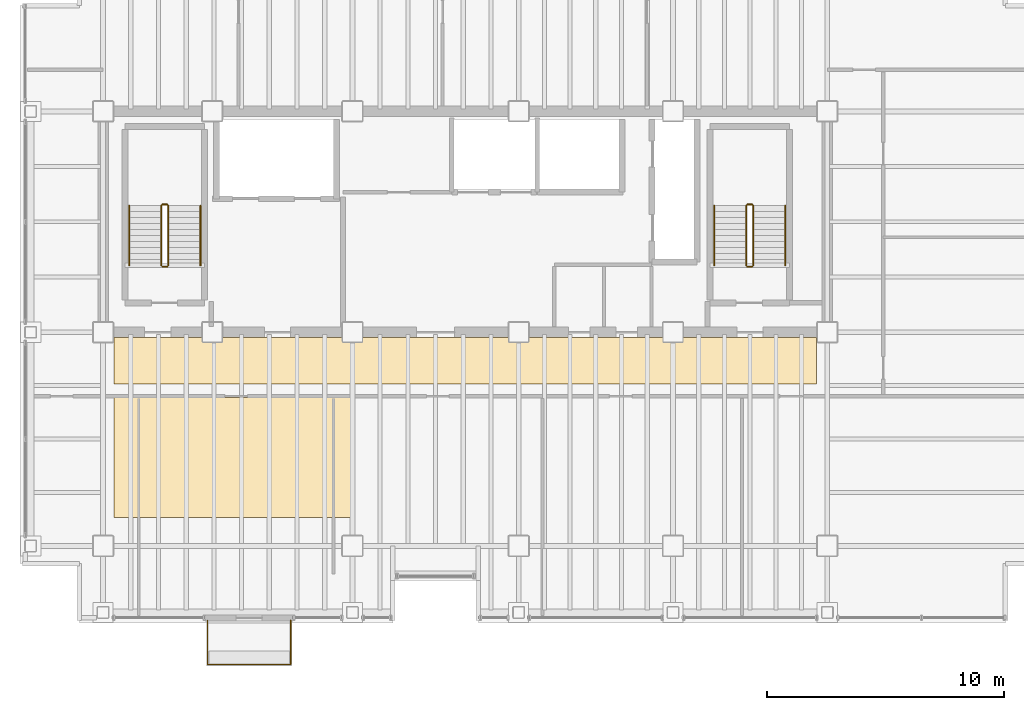
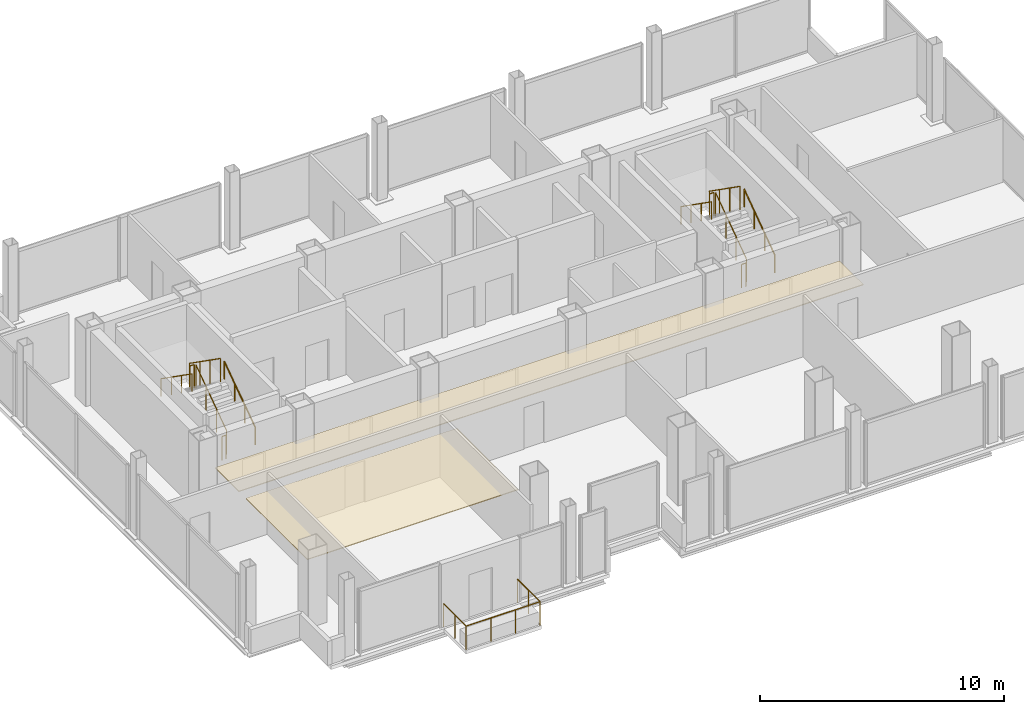
# One storey, part 15 of 15: 13 railings, 2 coverings.
"""IFC4 building model written with IfcOpenShell, lengths in metres."""

from ifc_helpers import new_model, si_unit, direction, frame, origin, origin_2d, place, context, subcontext, project, spatial, polyline, circle, outline, extrude, material, layer, layer_set, type_object, element, save


model = new_model("IFC4")

# Units and contexts
model_context = context("Model", 3, precision=1e-05, world=origin(), true_north=direction((0.0, 1.0)))
body_context = subcontext(model_context, "Body", "Model", "MODEL_VIEW")
ifc_project = project(units=[si_unit("LENGTHUNIT", "METRE"), si_unit("AREAUNIT", "SQUARE_METRE"), si_unit("VOLUMEUNIT", "CUBIC_METRE"), si_unit("PLANEANGLEUNIT", "RADIAN"), si_unit("MASSUNIT", "GRAM", prefix="KILO")], contexts=[model_context])

# Site, building, storey
site_placement = place(None, origin())
site = spatial("IfcSite", under=ifc_project, at=site_placement, CompositionType="ELEMENT")
building_placement = place(site_placement, origin())
building = spatial("IfcBuilding", under=site, at=building_placement, Name="Noeulbin Bourse Tower", CompositionType="ELEMENT")
storey_placement = place(building_placement, frame((0.0, 0.0, 189.0)))
storey = spatial("IfcBuildingStorey", under=building, at=storey_placement, Name="L47", CompositionType="ELEMENT", Elevation=189.0)

# Coverings
ifc_material_1 = material(Name="Perforated Mineral-Fibre Acoustic Tile")
ifc_layer_1 = layer(ifc_material_1, 0.0400390625)
ifc_layer_set_1 = layer_set([ifc_layer_1], Name="Perforated Mineral-Fibre Acoustic Tile")
covering_type = type_object("IfcCoveringType", Name="COV-CEIL-ACT", PredefinedType="CEILING", material=ifc_layer_set_1)
covering_1_placement = place(storey_placement, frame((0.0, 0.0, 2.110107421875)))
element("IfcCovering", 1, at=covering_1_placement, inside=storey, type_object=covering_type, Name="Corridor Suspended Ceiling L47", PredefinedType="CEILING", context=body_context, shape_type="SweptSolid", body=[
    extrude(outline(polyline([(13.949951171875, 26.820068359375), (43.550048828125, 26.820068359375), (43.550048828125, 28.780029296875), (13.949951171875, 28.780029296875), (13.949951171875, 26.820068359375)])), origin(), (0.0, 0.0, 1.0), 0.039794921875),
])
covering_2_placement = place(storey_placement, frame((0.0, 0.0, 2.110107421875)))
element("IfcCovering", 2, at=covering_2_placement, inside=storey, type_object=covering_type, Name="Trading Suite Acoustic Ceiling L47", PredefinedType="CEILING", context=body_context, shape_type="SweptSolid", body=[
    extrude(outline(polyline([(13.949951171875, 21.199951171875), (23.949951171875, 21.199951171875), (23.949951171875, 26.25), (13.949951171875, 26.25), (13.949951171875, 21.199951171875)])), origin(), (0.0, 0.0, 1.0), 0.039794921875),
])

# Railings
ifc_material_2 = material(Name="Laminated SentryGlas and Stainless Steel 316", Category="steel")
ifc_layer_2 = layer(ifc_material_2, 0.06005859375)
ifc_layer_set_2 = layer_set([ifc_layer_2], Name="Laminated SentryGlas and Stainless Steel 316")
railing_type_1 = type_object("IfcRailingType", Name="RLG-BAL-1200", PredefinedType="BALUSTRADE", material=ifc_layer_set_2)
railing_1_placement = place(storey_placement, frame((17.89990234375, 16.8701171875, 0.0)))
element("IfcRailing", 3, at=railing_1_placement, inside=storey, type_object=railing_type_1, Name="Tree-Balcony Glazed Balustrade L47", PredefinedType="BALUSTRADE", context=body_context, shape_type="SweptSolid", body=[
    extrude(circle(Radius=0.02392578125, at=origin_2d()), frame((0.0, 0.0, 1.17578125), z_axis=(0.0, -1.0, 0.0), x_axis=(1.0, 0.0, 0.0)), (0.0, 0.0, 1.0), 1.8701171875),
    extrude(circle(Radius=0.02392578125, at=origin_2d()), frame((0.0, -1.8701171875, 1.17578125), z_axis=(1.0, 0.0, 0.0), x_axis=(0.0, 1.0, 0.0)), (0.0, 0.0, 1.0), 3.5),
    extrude(circle(Radius=0.02392578125, at=origin_2d()), frame((3.5, -1.8701171875, 1.17578125), z_axis=(0.0, 1.0, 0.0), x_axis=(-1.0, 0.0, 0.0)), (0.0, 0.0, 1.0), 1.8701171875),
    extrude(circle(Radius=0.02099609375, at=origin_2d()), origin(), (0.0, 0.0, 1.0), 1.15185546875),
    extrude(circle(Radius=0.02099609375, at=origin_2d()), frame((0.0, -0.93505859375, 0.0)), (0.0, 0.0, 1.0), 1.15185546875),
    extrude(circle(Radius=0.02099609375, at=origin_2d()), frame((0.0, -1.8701171875, 0.0)), (0.0, 0.0, 1.0), 1.15185546875),
    extrude(circle(Radius=0.02099609375, at=origin_2d()), frame((1.166748046875, -1.8701171875, 0.0)), (0.0, 0.0, 1.0), 1.15185546875),
    extrude(circle(Radius=0.02099609375, at=origin_2d()), frame((2.333251953125, -1.8701171875, 0.0)), (0.0, 0.0, 1.0), 1.15185546875),
    extrude(circle(Radius=0.02099609375, at=origin_2d()), frame((3.5, -1.8701171875, 0.0)), (0.0, 0.0, 1.0), 1.15185546875),
    extrude(circle(Radius=0.02099609375, at=origin_2d()), frame((3.5, -0.93505859375, 0.0)), (0.0, 0.0, 1.0), 1.15185546875),
    extrude(circle(Radius=0.02099609375, at=origin_2d()), frame((3.5, 0.0, 0.0)), (0.0, 0.0, 1.0), 1.15185546875),
])
ifc_material_3 = material(Name="Painted Tubular Steel S355", Category="steel")
ifc_layer_3 = layer(ifc_material_3, 0.048095703125)
ifc_layer_set_3 = layer_set([ifc_layer_3], Name="Painted Tubular Steel S355")
railing_type_2 = type_object("IfcRailingType", Name="RLG-STR-GRD", PredefinedType="GUARDRAIL", material=ifc_layer_set_3)
railing_2_placement = place(storey_placement, frame((16.25, 31.81005859375, 0.17724609375)))
element("IfcRailing", 4, at=railing_2_placement, inside=storey, type_object=railing_type_2, Name="L47 ST-1 stair guard 1", PredefinedType="GUARDRAIL", context=body_context, shape_type="SweptSolid", body=[
    extrude(circle(Radius=0.02392578125, at=origin_2d()), frame((0.0, 0.0, 1.17578125), z_axis=(0.0, 0.817904474719, 0.575354039036), x_axis=(-1.0, 0.0, 0.0)), (0.0, 0.0, 1.0), 3.0810546875),
    extrude(circle(Radius=0.02099609375, at=origin_2d()), origin(), (0.0, 0.0, 1.0), 1.15185546875),
    extrude(circle(Radius=0.02099609375, at=origin_2d()), frame((0.0, 0.840087890625, 0.5908203125)), (0.0, 0.0, 1.0), 1.15185546875),
    extrude(circle(Radius=0.02099609375, at=origin_2d()), frame((0.0, 1.679931640625, 1.181884765625)), (0.0, 0.0, 1.0), 1.15185546875),
    extrude(circle(Radius=0.02099609375, at=origin_2d()), frame((0.0, 2.52001953125, 1.772705078125)), (0.0, 0.0, 1.0), 1.15185546875),
])
railing_3_placement = place(storey_placement, frame((16.199951171875, 34.3798828125, 1.949951171875)))
element("IfcRailing", 5, at=railing_3_placement, inside=storey, type_object=railing_type_2, Name="L47 ST-1 stair guard 2", PredefinedType="GUARDRAIL", context=body_context, shape_type="SweptSolid", body=[
    extrude(circle(Radius=0.02392578125, at=origin_2d()), frame((0.0, 0.0, 1.17578125), z_axis=(-1.0, 0.0, 0.0), x_axis=(0.0, -1.0, 0.0)), (0.0, 0.0, 1.0), 0.199951171875),
    extrude(circle(Radius=0.02099609375, at=origin_2d()), origin(), (0.0, 0.0, 1.0), 1.15185546875),
    extrude(circle(Radius=0.02099609375, at=origin_2d()), frame((-0.199951171875, 0.0, 0.0)), (0.0, 0.0, 1.0), 1.15185546875),
])
railing_4_placement = place(storey_placement, frame((15.949951171875, 34.330078125, 2.127197265625)))
element("IfcRailing", 6, at=railing_4_placement, inside=storey, type_object=railing_type_2, Name="L47 ST-1 stair guard 3", PredefinedType="GUARDRAIL", context=body_context, shape_type="SweptSolid", body=[
    extrude(circle(Radius=0.02392578125, at=origin_2d()), frame((0.0, 0.0, 1.17578125), z_axis=(0.0, -0.817904474719, 0.575354039036), x_axis=(1.0, 0.0, 0.0)), (0.0, 0.0, 1.0), 3.0810546875),
    extrude(circle(Radius=0.02099609375, at=origin_2d()), origin(), (0.0, 0.0, 1.0), 1.15185546875),
    extrude(circle(Radius=0.02099609375, at=origin_2d()), frame((0.0, -0.840087890625, 0.5908203125)), (0.0, 0.0, 1.0), 1.15185546875),
    extrude(circle(Radius=0.02099609375, at=origin_2d()), frame((0.0, -1.679931640625, 1.181884765625)), (0.0, 0.0, 1.0), 1.15185546875),
    extrude(circle(Radius=0.02099609375, at=origin_2d()), frame((0.0, -2.52001953125, 1.772705078125)), (0.0, 0.0, 1.0), 1.15185546875),
])
railing_5_placement = place(storey_placement, frame((16.199951171875, 31.760009765625, 0.0)))
element("IfcRailing", 7, at=railing_5_placement, inside=storey, type_object=railing_type_2, Name="L47 ST-1 stair guard 4", PredefinedType="GUARDRAIL", context=body_context, shape_type="SweptSolid", body=[
    extrude(circle(Radius=0.02392578125, at=origin_2d()), frame((0.0, 0.0, 1.17578125), z_axis=(-1.0, 0.0, 0.0), x_axis=(0.0, -1.0, 0.0)), (0.0, 0.0, 1.0), 0.199951171875),
    extrude(circle(Radius=0.02099609375, at=origin_2d()), origin(), (0.0, 0.0, 1.0), 1.15185546875),
    extrude(circle(Radius=0.02099609375, at=origin_2d()), frame((-0.199951171875, 0.0, 0.0)), (0.0, 0.0, 1.0), 1.15185546875),
])
railing_6_placement = place(storey_placement, frame((40.8798828125, 31.81005859375, 0.17724609375)))
element("IfcRailing", 8, at=railing_6_placement, inside=storey, type_object=railing_type_2, Name="L47 ST-2 stair guard 1", PredefinedType="GUARDRAIL", context=body_context, shape_type="SweptSolid", body=[
    extrude(circle(Radius=0.02392578125, at=origin_2d()), frame((0.0, 0.0, 1.17578125), z_axis=(0.0, 0.817904474719, 0.575354039036), x_axis=(-1.0, 0.0, 0.0)), (0.0, 0.0, 1.0), 3.0810546875),
    extrude(circle(Radius=0.02099609375, at=origin_2d()), origin(), (0.0, 0.0, 1.0), 1.15185546875),
    extrude(circle(Radius=0.02099609375, at=origin_2d()), frame((0.0, 0.840087890625, 0.5908203125)), (0.0, 0.0, 1.0), 1.15185546875),
    extrude(circle(Radius=0.02099609375, at=origin_2d()), frame((0.0, 1.679931640625, 1.181884765625)), (0.0, 0.0, 1.0), 1.15185546875),
    extrude(circle(Radius=0.02099609375, at=origin_2d()), frame((0.0, 2.52001953125, 1.772705078125)), (0.0, 0.0, 1.0), 1.15185546875),
])
railing_7_placement = place(storey_placement, frame((40.830078125, 34.3798828125, 1.949951171875)))
element("IfcRailing", 9, at=railing_7_placement, inside=storey, type_object=railing_type_2, Name="L47 ST-2 stair guard 2", PredefinedType="GUARDRAIL", context=body_context, shape_type="SweptSolid", body=[
    extrude(circle(Radius=0.02392578125, at=origin_2d()), frame((0.0, 0.0, 1.17578125), z_axis=(-1.0, 0.0, 0.0), x_axis=(0.0, -1.0, 0.0)), (0.0, 0.0, 1.0), 0.2001953125),
    extrude(circle(Radius=0.02099609375, at=origin_2d()), origin(), (0.0, 0.0, 1.0), 1.15185546875),
    extrude(circle(Radius=0.02099609375, at=origin_2d()), frame((-0.2001953125, 0.0, 0.0)), (0.0, 0.0, 1.0), 1.15185546875),
])
railing_8_placement = place(storey_placement, frame((40.580078125, 34.330078125, 2.127197265625)))
element("IfcRailing", 10, at=railing_8_placement, inside=storey, type_object=railing_type_2, Name="L47 ST-2 stair guard 3", PredefinedType="GUARDRAIL", context=body_context, shape_type="SweptSolid", body=[
    extrude(circle(Radius=0.02392578125, at=origin_2d()), frame((0.0, 0.0, 1.17578125), z_axis=(0.0, -0.817904474719, 0.575354039036), x_axis=(1.0, 0.0, 0.0)), (0.0, 0.0, 1.0), 3.0810546875),
    extrude(circle(Radius=0.02099609375, at=origin_2d()), origin(), (0.0, 0.0, 1.0), 1.15185546875),
    extrude(circle(Radius=0.02099609375, at=origin_2d()), frame((0.0, -0.840087890625, 0.5908203125)), (0.0, 0.0, 1.0), 1.15185546875),
    extrude(circle(Radius=0.02099609375, at=origin_2d()), frame((0.0, -1.679931640625, 1.181884765625)), (0.0, 0.0, 1.0), 1.15185546875),
    extrude(circle(Radius=0.02099609375, at=origin_2d()), frame((0.0, -2.52001953125, 1.772705078125)), (0.0, 0.0, 1.0), 1.15185546875),
])
railing_9_placement = place(storey_placement, frame((40.830078125, 31.760009765625, 0.0)))
element("IfcRailing", 11, at=railing_9_placement, inside=storey, type_object=railing_type_2, Name="L47 ST-2 stair guard 4", PredefinedType="GUARDRAIL", context=body_context, shape_type="SweptSolid", body=[
    extrude(circle(Radius=0.02392578125, at=origin_2d()), frame((0.0, 0.0, 1.17578125), z_axis=(-1.0, 0.0, 0.0), x_axis=(0.0, -1.0, 0.0)), (0.0, 0.0, 1.0), 0.2001953125),
    extrude(circle(Radius=0.02099609375, at=origin_2d()), origin(), (0.0, 0.0, 1.0), 1.15185546875),
    extrude(circle(Radius=0.02099609375, at=origin_2d()), frame((-0.2001953125, 0.0, 0.0)), (0.0, 0.0, 1.0), 1.15185546875),
])
ifc_material_4 = material(Name="Brushed Stainless Steel 316", Category="steel")
ifc_layer_4 = layer(ifc_material_4, 0.048095703125)
ifc_layer_set_4 = layer_set([ifc_layer_4], Name="Brushed Stainless Steel 316")
railing_type_3 = type_object("IfcRailingType", Name="RLG-STR-HND", PredefinedType="HANDRAIL", material=ifc_layer_set_4)
railing_10_placement = place(storey_placement, frame((17.60009765625, 31.81005859375, 0.17724609375)))
element("IfcRailing", 12, at=railing_10_placement, inside=storey, type_object=railing_type_3, Name="L47 ST-1 stair handrail 1", PredefinedType="HANDRAIL", context=body_context, shape_type="SweptSolid", body=[
    extrude(circle(Radius=0.02392578125, at=origin_2d()), frame((0.0, 0.0, 0.8759765625), z_axis=(0.0, 0.817904474719, 0.575354039036), x_axis=(-1.0, 0.0, 0.0)), (0.0, 0.0, 1.0), 3.0810546875),
    extrude(circle(Radius=0.02099609375, at=origin_2d()), origin(), (0.0, 0.0, 1.0), 0.851806640625),
    extrude(circle(Radius=0.02099609375, at=origin_2d()), frame((0.0, 0.840087890625, 0.5908203125)), (0.0, 0.0, 1.0), 0.851806640625),
    extrude(circle(Radius=0.02099609375, at=origin_2d()), frame((0.0, 1.679931640625, 1.181884765625)), (0.0, 0.0, 1.0), 0.851806640625),
    extrude(circle(Radius=0.02099609375, at=origin_2d()), frame((0.0, 2.52001953125, 1.772705078125)), (0.0, 0.0, 1.0), 0.851806640625),
])
railing_11_placement = place(storey_placement, frame((14.60009765625, 34.330078125, 2.127197265625)))
element("IfcRailing", 13, at=railing_11_placement, inside=storey, type_object=railing_type_3, Name="L47 ST-1 stair handrail 2", PredefinedType="HANDRAIL", context=body_context, shape_type="SweptSolid", body=[
    extrude(circle(Radius=0.02392578125, at=origin_2d()), frame((0.0, 0.0, 0.8759765625), z_axis=(0.0, -0.817904474719, 0.575354039036), x_axis=(1.0, 0.0, 0.0)), (0.0, 0.0, 1.0), 3.0810546875),
    extrude(circle(Radius=0.02099609375, at=origin_2d()), origin(), (0.0, 0.0, 1.0), 0.851806640625),
    extrude(circle(Radius=0.02099609375, at=origin_2d()), frame((0.0, -0.840087890625, 0.5908203125)), (0.0, 0.0, 1.0), 0.851806640625),
    extrude(circle(Radius=0.02099609375, at=origin_2d()), frame((0.0, -1.679931640625, 1.181884765625)), (0.0, 0.0, 1.0), 0.851806640625),
    extrude(circle(Radius=0.02099609375, at=origin_2d()), frame((0.0, -2.52001953125, 1.772705078125)), (0.0, 0.0, 1.0), 0.851806640625),
])
railing_12_placement = place(storey_placement, frame((42.22998046875, 31.81005859375, 0.17724609375)))
element("IfcRailing", 14, at=railing_12_placement, inside=storey, type_object=railing_type_3, Name="L47 ST-2 stair handrail 1", PredefinedType="HANDRAIL", context=body_context, shape_type="SweptSolid", body=[
    extrude(circle(Radius=0.02392578125, at=origin_2d()), frame((0.0, 0.0, 0.8759765625), z_axis=(0.0, 0.817904474719, 0.575354039036), x_axis=(-1.0, 0.0, 0.0)), (0.0, 0.0, 1.0), 3.0810546875),
    extrude(circle(Radius=0.02099609375, at=origin_2d()), origin(), (0.0, 0.0, 1.0), 0.851806640625),
    extrude(circle(Radius=0.02099609375, at=origin_2d()), frame((0.0, 0.840087890625, 0.5908203125)), (0.0, 0.0, 1.0), 0.851806640625),
    extrude(circle(Radius=0.02099609375, at=origin_2d()), frame((0.0, 1.679931640625, 1.181884765625)), (0.0, 0.0, 1.0), 0.851806640625),
    extrude(circle(Radius=0.02099609375, at=origin_2d()), frame((0.0, 2.52001953125, 1.772705078125)), (0.0, 0.0, 1.0), 0.851806640625),
])
railing_13_placement = place(storey_placement, frame((39.22998046875, 34.330078125, 2.127197265625)))
element("IfcRailing", 15, at=railing_13_placement, inside=storey, type_object=railing_type_3, Name="L47 ST-2 stair handrail 2", PredefinedType="HANDRAIL", context=body_context, shape_type="SweptSolid", body=[
    extrude(circle(Radius=0.02392578125, at=origin_2d()), frame((0.0, 0.0, 0.8759765625), z_axis=(0.0, -0.817904474719, 0.575354039036), x_axis=(1.0, 0.0, 0.0)), (0.0, 0.0, 1.0), 3.0810546875),
    extrude(circle(Radius=0.02099609375, at=origin_2d()), origin(), (0.0, 0.0, 1.0), 0.851806640625),
    extrude(circle(Radius=0.02099609375, at=origin_2d()), frame((0.0, -0.840087890625, 0.5908203125)), (0.0, 0.0, 1.0), 0.851806640625),
    extrude(circle(Radius=0.02099609375, at=origin_2d()), frame((0.0, -1.679931640625, 1.181884765625)), (0.0, 0.0, 1.0), 0.851806640625),
    extrude(circle(Radius=0.02099609375, at=origin_2d()), frame((0.0, -2.52001953125, 1.772705078125)), (0.0, 0.0, 1.0), 0.851806640625),
])

save(model, "model.ifc")
